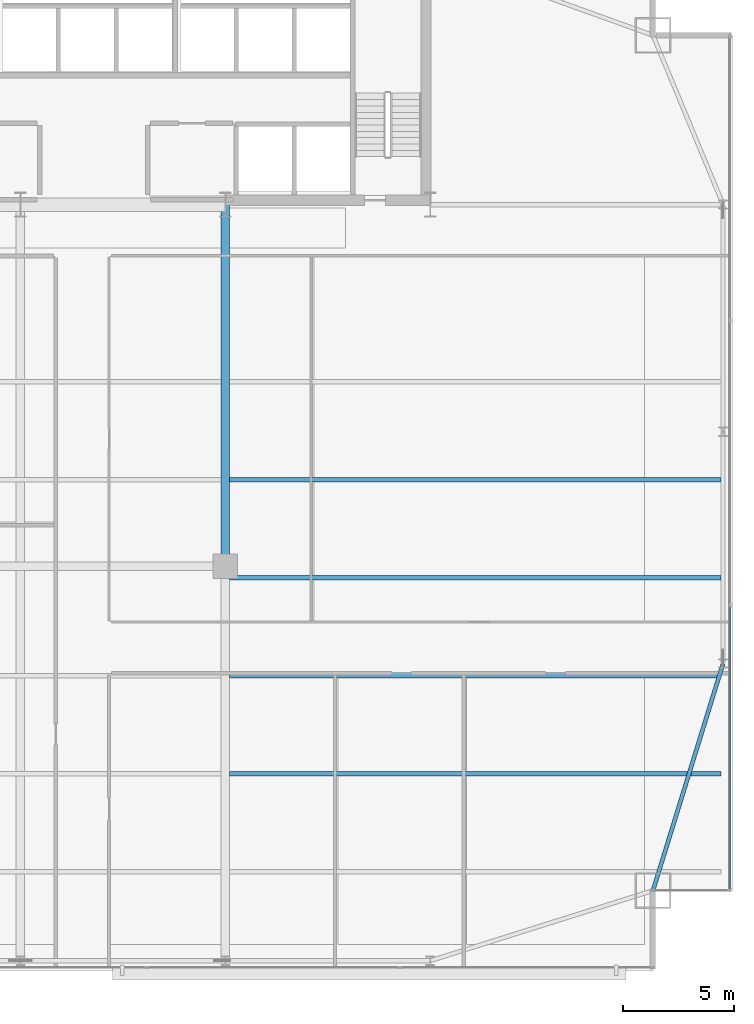
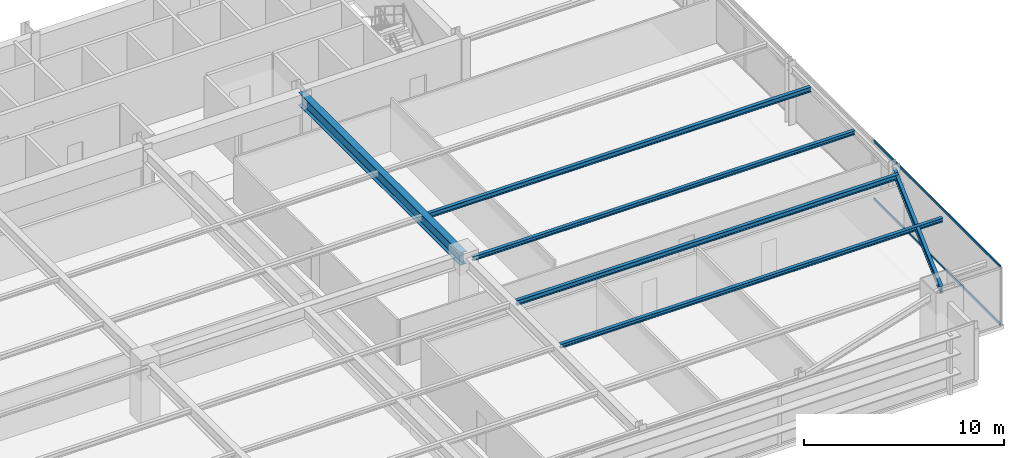
# One storey, part 17 of 32: 6 beams, 2 members, 1 element without a shape of its own.
"""IFC4 building model written with IfcOpenShell, lengths in metres."""

from ifc_helpers import new_model, si_unit, direction, frame, origin, origin_2d, place, context, subcontext, project, spatial, hollow_rectangle, i_section, extrude, source, transform, mapped, material, layer, layer_set, material_profile, profile_set, type_object, type_shapes, element, aggregate, save


model = new_model("IFC4")

# Units and contexts
model_context = context("Model", 3, precision=1e-05, world=origin(), true_north=direction((0.0, 1.0)))
body_context = subcontext(model_context, "Body", "Model", "MODEL_VIEW")
ifc_project = project(units=[si_unit("LENGTHUNIT", "METRE"), si_unit("AREAUNIT", "SQUARE_METRE"), si_unit("VOLUMEUNIT", "CUBIC_METRE"), si_unit("PLANEANGLEUNIT", "RADIAN"), si_unit("MASSUNIT", "GRAM", prefix="KILO")], contexts=[model_context])

# Site, building, storey
site_placement = place(None, origin())
site = spatial("IfcSite", under=ifc_project, at=site_placement, CompositionType="ELEMENT")
building_placement = place(site_placement, origin())
building = spatial("IfcBuilding", under=site, at=building_placement, Name="Varnel Quay Broadcast Tower", CompositionType="ELEMENT")
storey_placement = place(building_placement, frame((0.0, 0.0, 78.300048828125)))
storey = spatial("IfcBuildingStorey", under=building, at=storey_placement, Name="L18", CompositionType="ELEMENT", Elevation=78.300048828125)

# Beams
ifc_material_1 = material(Name="Structural Steel CSA G40.21 350W", Category="steel")
ifc_material_profile_1 = material_profile(ifc_material_1, i_section(OverallWidth=0.180908203125, OverallDepth=0.4169921875, WebThickness=0.010986328125, FlangeThickness=0.018310546875, FilletRadius=0.011962890625, at=origin_2d()), Name="W410X85")
ifc_profile_set_1 = profile_set([ifc_material_profile_1], Name="Structural Steel CSA G40.21 350W")
beam_type_1 = type_object("IfcBeamType", Name="Beam_W410X85", PredefinedType="SPANDREL", material=ifc_profile_set_1)
shared_shape_1 = source(origin(), body_context, "Body", "SweptSolid", [
    extrude(i_section(OverallWidth=0.180908203125, OverallDepth=0.4169921875, WebThickness=0.010986328125, FlangeThickness=0.018310546875, FilletRadius=0.011962890625, at=origin_2d()), origin(), (0.0, 0.0, 1.0), 10.635498046875),
])
type_shapes(beam_type_1, [shared_shape_1])
beam_1_placement = place(storey_placement, frame((62.406005859375, 4.819091796875, 3.371337890625), z_axis=(0.295069676324, 0.955475738108, 0.0), x_axis=(-0.955475738108, 0.295069676324, 0.0)))
element("IfcBeam", 1, at=beam_1_placement, inside=storey, type_object=beam_type_1, Name="L18 East Spandrel MC-SE-TC-E1", PredefinedType="SPANDREL", context=body_context, shape_type="MappedRepresentation", body=[
    mapped(shared_shape_1, transform((0.0, 0.0, 0.0), x_axis=(1.0, 0.0, 0.0), y_axis=(0.0, 1.0, 0.0), z_axis=(0.0, 0.0, 1.0), scale=1.0)),
])
ifc_material_profile_2 = material_profile(ifc_material_1, i_section(OverallWidth=0.381103515625, OverallDepth=0.77294921875, WebThickness=0.0166015625, FlangeThickness=0.027587890625, FilletRadius=0.01806640625, at=origin_2d()), Name="W760X257")
ifc_profile_set_2 = profile_set([ifc_material_profile_2], Name="Structural Steel CSA G40.21 350W")
beam_type_2 = type_object("IfcBeamType", Name="Girder_W760X257", PredefinedType="BEAM", material=ifc_profile_set_2)
shared_shape_2 = source(origin(), body_context, "Body", "SweptSolid", [
    extrude(i_section(OverallWidth=0.381103515625, OverallDepth=0.77294921875, WebThickness=0.0166015625, FlangeThickness=0.027587890625, FilletRadius=0.01806640625, at=origin_2d()), origin(), (0.0, 0.0, 1.0), 16.190185546875),
])
type_shapes(beam_type_2, [shared_shape_2])
beam_2_placement = place(storey_placement, frame((43.199951171875, 19.389892578125, 3.193359375), z_axis=(0.0, 1.0, 0.0), x_axis=(-1.0, 0.0, 0.0)))
element("IfcBeam", 2, at=beam_2_placement, inside=storey, type_object=beam_type_2, Name="L18 Primary Girder IC-02-CC-S4", PredefinedType="BEAM", context=body_context, shape_type="MappedRepresentation", body=[
    mapped(shared_shape_2, transform((0.0, 0.0, 0.0), x_axis=(1.0, 0.0, 0.0), y_axis=(0.0, 1.0, 0.0), z_axis=(0.0, 0.0, 1.0), scale=1.0)),
])
ifc_material_profile_3 = material_profile(ifc_material_1, i_section(OverallWidth=0.202880859375, OverallDepth=0.302978515625, WebThickness=0.007568359375, FlangeThickness=0.01318359375, FilletRadius=0.011962890625, at=origin_2d()), Name="W310X60")
ifc_profile_set_3 = profile_set([ifc_material_profile_3], Name="Structural Steel CSA G40.21 350W")
beam_type_3 = type_object("IfcBeamType", Name="Beam_W310X60", PredefinedType="JOIST", material=ifc_profile_set_3)
shared_shape_3 = source(origin(), body_context, "Body", "SweptSolid", [
    extrude(i_section(OverallWidth=0.202880859375, OverallDepth=0.302978515625, WebThickness=0.007568359375, FlangeThickness=0.01318359375, FilletRadius=0.011962890625, at=origin_2d()), origin(), (0.0, 0.0, 1.0), 22.0791015625),
])
type_shapes(beam_type_3, [shared_shape_3])
for number, where, z_axis, x_axis, name in (
    (3, (43.385498046875, 14.449951171875, 3.428466796875), (1.0, 0.0, 0.0), (0.0, 1.0, 0.0), "L18 East Floor Joist 3"),
    (4, (43.385498046875, 23.25, 3.428466796875), (1.0, 0.0, 0.0), (0.0, 1.0, 0.0), "L18 East Floor Joist 5"),
):
    element("IfcBeam", number, at=place(storey_placement, frame(where, z_axis=z_axis, x_axis=x_axis)), inside=storey, type_object=beam_type_3, Name=name, PredefinedType="JOIST", context=body_context, shape_type="MappedRepresentation", body=[
        mapped(shared_shape_3, transform((0.0, 0.0, 0.0), x_axis=(1.0, 0.0, 0.0), y_axis=(0.0, 1.0, 0.0), z_axis=(0.0, 0.0, 1.0), scale=1.0)),
    ])
ifc_material_profile_4 = material_profile(ifc_material_1, i_section(OverallWidth=0.201904296875, OverallDepth=0.2470703125, WebThickness=0.00732421875, FlangeThickness=0.010986328125, FilletRadius=0.010986328125, at=origin_2d()), Name="W250X49")
ifc_profile_set_4 = profile_set([ifc_material_profile_4], Name="Structural Steel CSA G40.21 350W")
beam_type_4 = type_object("IfcBeamType", Name="Beam_W250X49", PredefinedType="JOIST", material=ifc_profile_set_4)
shared_shape_4 = source(origin(), body_context, "Body", "SweptSolid", [
    extrude(i_section(OverallWidth=0.201904296875, OverallDepth=0.2470703125, WebThickness=0.00732421875, FlangeThickness=0.010986328125, FilletRadius=0.010986328125, at=origin_2d()), origin(), (0.0, 0.0, 1.0), 22.0791015625),
])
type_shapes(beam_type_4, [shared_shape_4])
for number, where, z_axis, x_axis, name in (
    (5, (43.385498046875, 10.050048828125, 3.45654296875), (1.0, 0.0, 0.0), (0.0, 1.0, 0.0), "L18 East Floor Joist 2"),
    (6, (43.385498046875, 18.85009765625, 3.45654296875), (1.0, 0.0, 0.0), (0.0, 1.0, 0.0), "L18 East Floor Joist 4"),
):
    element("IfcBeam", number, at=place(storey_placement, frame(where, z_axis=z_axis, x_axis=x_axis)), inside=storey, type_object=beam_type_4, Name=name, PredefinedType="JOIST", context=body_context, shape_type="MappedRepresentation", body=[
        mapped(shared_shape_4, transform((0.0, 0.0, 0.0), x_axis=(1.0, 0.0, 0.0), y_axis=(0.0, 1.0, 0.0), z_axis=(0.0, 0.0, 1.0), scale=1.0)),
    ])

# Curtain wall, members
ifc_material_2 = material(Name="Anodised Bronze Aluminium 6063-T6", Category="aluminium")
ifc_layer = layer(ifc_material_2, 0.18994140625, Name="Anodised Bronze Aluminium 6063-T6")
ifc_layer_set = layer_set([ifc_layer], Name="Anodised Bronze Aluminium 6063-T6")
curtain_wall_type = type_object("IfcCurtainWallType", Name="CW_LowerTower", PredefinedType="NOTDEFINED", material=ifc_layer_set)
curtain_wall_placement = place(storey_placement, origin())
curtain_wall = element("IfcCurtainWall", 7, at=curtain_wall_placement, inside=storey, type_object=curtain_wall_type, Name="L18 East Unitised Curtain Wall", PredefinedType="NOTDEFINED")
ifc_material_profile_5 = material_profile(ifc_material_2, hollow_rectangle(XDim=0.06005859375, YDim=0.14501953125, WallThickness=0.00341796875, at=origin_2d()), Name="ALU60X145X3.5")
ifc_profile_set_5 = profile_set([ifc_material_profile_5], Name="Anodised Bronze Aluminium 6063-T6")
member_type = type_object("IfcMemberType", Name="Tran_CWS-02", PredefinedType="USERDEFINED", material=ifc_profile_set_5)
shared_shape_5 = source(origin(), body_context, "Body", "SweptSolid", [
    extrude(hollow_rectangle(XDim=0.06005859375, YDim=0.14501953125, WallThickness=0.00341796875, at=origin_2d()), origin(), (0.0, 0.0, 1.0), 12.69482421875),
])
type_shapes(member_type, [shared_shape_5])
member_1_placement = place(storey_placement, frame((65.85009765625, 4.8701171875, 0.030029296875), z_axis=(0.0, 1.0, 0.0), x_axis=(-1.0, 0.0, 0.0)))
member_1 = element("IfcMember", 8, at=member_1_placement, type_object=member_type, Name="CWS-02 transom 1.1", ObjectType="TRANSOM", PredefinedType="USERDEFINED", context=body_context, shape_type="MappedRepresentation", body=[
    mapped(shared_shape_5, transform((0.0, 0.0, 0.0), x_axis=(1.0, 0.0, 0.0), y_axis=(0.0, 1.0, 0.0), z_axis=(0.0, 0.0, 1.0), scale=1.0)),
])
member_2_placement = place(storey_placement, frame((65.85009765625, 4.8701171875, 3.550048828125), z_axis=(0.0, 1.0, 0.0), x_axis=(-1.0, 0.0, 0.0)))
member_2 = element("IfcMember", 9, at=member_2_placement, type_object=member_type, Name="CWS-02 transom 1.2", ObjectType="TRANSOM", PredefinedType="USERDEFINED", context=body_context, shape_type="MappedRepresentation", body=[
    mapped(shared_shape_5, transform((0.0, 0.0, 0.0), x_axis=(1.0, 0.0, 0.0), y_axis=(0.0, 1.0, 0.0), z_axis=(0.0, 0.0, 1.0), scale=1.0)),
])
aggregate(curtain_wall, [member_1, member_2])

save(model, "model.ifc")
